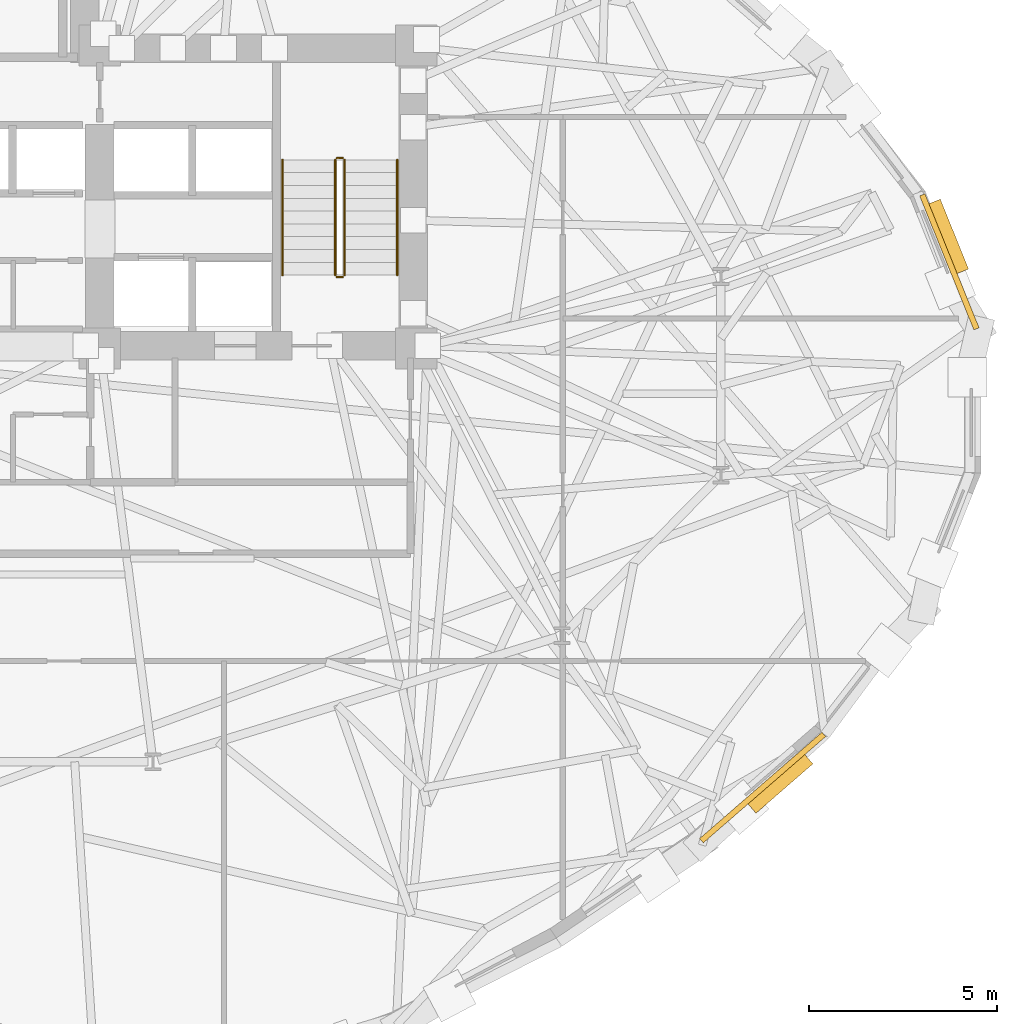
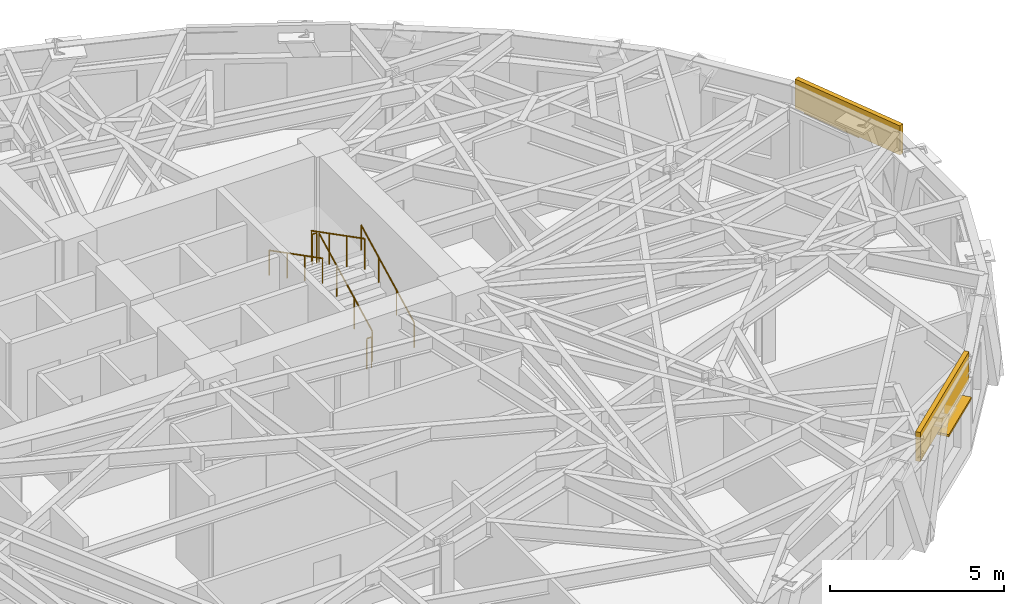
# One storey, part 14 of 15: 6 railings, 2 coverings, 2 shading devices.
"""IFC4 building model written with IfcOpenShell, lengths in metres."""

from ifc_helpers import new_model, si_unit, direction, frame, origin, origin_2d, place, context, subcontext, project, spatial, rectangle, circle, extrude, material, layer, layer_set, type_object, element, save


model = new_model("IFC4")

# Units and contexts
model_context = context("Model", 3, precision=1e-05, world=origin(), true_north=direction((0.0, 1.0)))
body_context = subcontext(model_context, "Body", "Model", "MODEL_VIEW")
ifc_project = project(units=[si_unit("LENGTHUNIT", "METRE"), si_unit("AREAUNIT", "SQUARE_METRE"), si_unit("VOLUMEUNIT", "CUBIC_METRE"), si_unit("PLANEANGLEUNIT", "RADIAN"), si_unit("MASSUNIT", "GRAM", prefix="KILO")], contexts=[model_context])

# Site, building, storey
site_placement = place(None, origin())
site = spatial("IfcSite", under=ifc_project, at=site_placement, CompositionType="ELEMENT")
building_placement = place(site_placement, origin())
building = spatial("IfcBuilding", under=site, at=building_placement, Name="Keldmark Tower", CompositionType="ELEMENT")
storey_placement = place(building_placement, frame((0.0, 0.0, 93.10009765625)))
storey = spatial("IfcBuildingStorey", under=building, at=storey_placement, Name="L24", CompositionType="ELEMENT", Elevation=93.10009765625)

# Shading devices
ifc_material_1 = material(Name="Kasota Buff Limestone Bullnose and Bronze Anodized Aluminum", Category="masonry")
ifc_layer_1 = layer(ifc_material_1, 0.080078125)
ifc_layer_set_1 = layer_set([ifc_layer_1], Name="Kasota Buff Limestone Bullnose and Bronze Anodized Aluminum")
shading_device_type = type_object("IfcShadingDeviceType", Name="Deep-Set Punched Window Stone-and-Metal Sunshade", PredefinedType="AWNING", material=ifc_layer_set_1)
for number, where, z_axis, x_axis, name in (
    (1, (27.705810546875, 4.362060546875, 2.35986328125), (0.0, 0.0, 1.0), (0.374914038623, -0.927059579339, 0.0), "L24 Kasota Stone Window Sunshade 01"),
    (2, (23.24853515625, -10.130615234375, 2.35986328125), (0.0, 0.0, 1.0), (-0.754927096135, -0.655808721748, 0.0), "L24 Kasota Stone Window Sunshade 29"),
):
    element("IfcShadingDevice", number, at=place(storey_placement, frame(where, z_axis=z_axis, x_axis=x_axis)), inside=storey, type_object=shading_device_type, Name=name, PredefinedType="AWNING", context=body_context, shape_type="SweptSolid", body=[
        extrude(rectangle(XDim=2.0, YDim=0.419921875, at=origin_2d()), origin(), (0.0, 0.0, 1.0), 0.080078125),
    ])

# Coverings
ifc_material_2 = material(Name="Honed Kasota Buff Dolomitic Limestone", Category="masonry")
ifc_layer_2 = layer(ifc_material_2, 0.074951171875)
ifc_layer_set_2 = layer_set([ifc_layer_2], Name="Honed Kasota Buff Dolomitic Limestone")
covering_type = type_object("IfcCoveringType", Name="Kasota Buff Limestone Spandrel Cladding Band", PredefinedType="CLADDING", material=ifc_layer_set_2)
covering_1_placement = place(storey_placement, frame((27.767333984375, 3.702880859375, 2.45166015625), z_axis=(0.0, 0.0, 1.0), x_axis=(-0.374914038623, 0.927059579339, 0.0)))
element("IfcCovering", 3, at=covering_1_placement, inside=storey, type_object=covering_type, Name="L24 Kasota Limestone Spandrel Band 01", PredefinedType="CLADDING", context=body_context, shape_type="SweptSolid", body=[
    extrude(rectangle(XDim=3.836669921875, YDim=0.14990234375, at=origin_2d()), origin(), (0.0, 0.0, 1.0), 1.028076171875),
])
covering_2_placement = place(storey_placement, frame((22.806396484375, -10.26318359375, 2.45166015625), z_axis=(0.0, 0.0, 1.0), x_axis=(0.754927096135, 0.655808721748, 0.0)))
element("IfcCovering", 4, at=covering_2_placement, inside=storey, type_object=covering_type, Name="L24 Kasota Limestone Spandrel Band 29", PredefinedType="CLADDING", context=body_context, shape_type="SweptSolid", body=[
    extrude(rectangle(XDim=4.306640625, YDim=0.14990234375, at=origin_2d()), origin(), (0.0, 0.0, 1.0), 1.028076171875),
])

# Railings
ifc_material_3 = material(Name="Painted Steel ASTM A500 Grade B", Category="steel")
railing_type_1 = type_object("IfcRailingType", Name="Painted Steel Stair Well Guard 1100 mm", PredefinedType="GUARDRAIL", material=ifc_material_3)
railing_1_placement = place(storey_placement, frame((11.699951171875, 3.35009765625, 0.1748046875)))
element("IfcRailing", 5, at=railing_1_placement, inside=storey, type_object=railing_type_1, Name="L24 ST2 stair guard 1", PredefinedType="GUARDRAIL", context=body_context, shape_type="SweptSolid", body=[
    extrude(circle(Radius=0.02392578125, at=origin_2d()), frame((0.0, 0.0, 1.076171875), z_axis=(0.0, 0.889101422983, 0.457710235465), x_axis=(-1.0, 0.0, 0.0)), (0.0, 0.0, 1.0), 3.44140625),
    extrude(circle(Radius=0.02099609375, at=origin_2d()), origin(), (0.0, 0.0, 1.0), 1.052001953125),
    extrude(circle(Radius=0.02099609375, at=origin_2d()), frame((0.0, 1.02001953125, 0.525146484375)), (0.0, 0.0, 1.0), 1.052001953125),
    extrude(circle(Radius=0.02099609375, at=origin_2d()), frame((0.0, 2.039794921875, 1.050048828125)), (0.0, 0.0, 1.0), 1.052001953125),
    extrude(circle(Radius=0.02099609375, at=origin_2d()), frame((0.0, 3.059814453125, 1.5751953125)), (0.0, 0.0, 1.0), 1.052001953125),
])
railing_2_placement = place(storey_placement, frame((11.64990234375, 6.4599609375, 1.75)))
element("IfcRailing", 6, at=railing_2_placement, inside=storey, type_object=railing_type_1, Name="L24 ST2 stair guard 2", PredefinedType="GUARDRAIL", context=body_context, shape_type="SweptSolid", body=[
    extrude(circle(Radius=0.02392578125, at=origin_2d()), frame((0.0, 0.0, 1.076171875), z_axis=(-1.0, 0.0, 0.0), x_axis=(0.0, -1.0, 0.0)), (0.0, 0.0, 1.0), 0.14990234375),
    extrude(circle(Radius=0.02099609375, at=origin_2d()), origin(), (0.0, 0.0, 1.0), 1.052001953125),
    extrude(circle(Radius=0.02099609375, at=origin_2d()), frame((-0.14990234375, 0.0, 0.0)), (0.0, 0.0, 1.0), 1.052001953125),
])
railing_3_placement = place(storey_placement, frame((11.449951171875, 6.409912109375, 1.9248046875)))
element("IfcRailing", 7, at=railing_3_placement, inside=storey, type_object=railing_type_1, Name="L24 ST2 stair guard 3", PredefinedType="GUARDRAIL", context=body_context, shape_type="SweptSolid", body=[
    extrude(circle(Radius=0.02392578125, at=origin_2d()), frame((0.0, 0.0, 1.076171875), z_axis=(0.0, -0.889101422983, 0.457710235465), x_axis=(1.0, 0.0, 0.0)), (0.0, 0.0, 1.0), 3.44140625),
    extrude(circle(Radius=0.02099609375, at=origin_2d()), origin(), (0.0, 0.0, 1.0), 1.052001953125),
    extrude(circle(Radius=0.02099609375, at=origin_2d()), frame((0.0, -1.02001953125, 0.525146484375)), (0.0, 0.0, 1.0), 1.052001953125),
    extrude(circle(Radius=0.02099609375, at=origin_2d()), frame((0.0, -2.039794921875, 1.050048828125)), (0.0, 0.0, 1.0), 1.052001953125),
    extrude(circle(Radius=0.02099609375, at=origin_2d()), frame((0.0, -3.059814453125, 1.5751953125)), (0.0, 0.0, 1.0), 1.052001953125),
])
railing_4_placement = place(storey_placement, frame((11.64990234375, 3.300048828125, 0.0)))
element("IfcRailing", 8, at=railing_4_placement, inside=storey, type_object=railing_type_1, Name="L24 ST2 stair guard 4", PredefinedType="GUARDRAIL", context=body_context, shape_type="SweptSolid", body=[
    extrude(circle(Radius=0.02392578125, at=origin_2d()), frame((0.0, 0.0, 1.076171875), z_axis=(-1.0, 0.0, 0.0), x_axis=(0.0, -1.0, 0.0)), (0.0, 0.0, 1.0), 0.14990234375),
    extrude(circle(Radius=0.02099609375, at=origin_2d()), origin(), (0.0, 0.0, 1.0), 1.052001953125),
    extrude(circle(Radius=0.02099609375, at=origin_2d()), frame((-0.14990234375, 0.0, 0.0)), (0.0, 0.0, 1.0), 1.052001953125),
])
ifc_material_4 = material(Name="Stainless Steel AISI 316L", Category="steel")
railing_type_2 = type_object("IfcRailingType", Name="Stainless Steel Stair Handrail 900 mm", PredefinedType="HANDRAIL", material=ifc_material_4)
railing_5_placement = place(storey_placement, frame((13.10009765625, 3.35009765625, 0.1748046875)))
element("IfcRailing", 9, at=railing_5_placement, inside=storey, type_object=railing_type_2, Name="L24 ST2 stair handrail 1", PredefinedType="HANDRAIL", context=body_context, shape_type="SweptSolid", body=[
    extrude(circle(Radius=0.02392578125, at=origin_2d()), frame((0.0, 0.0, 0.8759765625), z_axis=(0.0, 0.889101422983, 0.457710235465), x_axis=(-1.0, 0.0, 0.0)), (0.0, 0.0, 1.0), 3.44140625),
    extrude(circle(Radius=0.02099609375, at=origin_2d()), origin(), (0.0, 0.0, 1.0), 0.851806640625),
    extrude(circle(Radius=0.02099609375, at=origin_2d()), frame((0.0, 1.02001953125, 0.525146484375)), (0.0, 0.0, 1.0), 0.851806640625),
    extrude(circle(Radius=0.02099609375, at=origin_2d()), frame((0.0, 2.039794921875, 1.050048828125)), (0.0, 0.0, 1.0), 0.851806640625),
    extrude(circle(Radius=0.02099609375, at=origin_2d()), frame((0.0, 3.059814453125, 1.5751953125)), (0.0, 0.0, 1.0), 0.851806640625),
])
railing_6_placement = place(storey_placement, frame((10.050048828125, 6.409912109375, 1.9248046875)))
element("IfcRailing", 10, at=railing_6_placement, inside=storey, type_object=railing_type_2, Name="L24 ST2 stair handrail 2", PredefinedType="HANDRAIL", context=body_context, shape_type="SweptSolid", body=[
    extrude(circle(Radius=0.02392578125, at=origin_2d()), frame((0.0, 0.0, 0.8759765625), z_axis=(0.0, -0.889101422983, 0.457710235465), x_axis=(1.0, 0.0, 0.0)), (0.0, 0.0, 1.0), 3.44140625),
    extrude(circle(Radius=0.02099609375, at=origin_2d()), origin(), (0.0, 0.0, 1.0), 0.851806640625),
    extrude(circle(Radius=0.02099609375, at=origin_2d()), frame((0.0, -1.02001953125, 0.525146484375)), (0.0, 0.0, 1.0), 0.851806640625),
    extrude(circle(Radius=0.02099609375, at=origin_2d()), frame((0.0, -2.039794921875, 1.050048828125)), (0.0, 0.0, 1.0), 0.851806640625),
    extrude(circle(Radius=0.02099609375, at=origin_2d()), frame((0.0, -3.059814453125, 1.5751953125)), (0.0, 0.0, 1.0), 0.851806640625),
])

save(model, "model.ifc")
